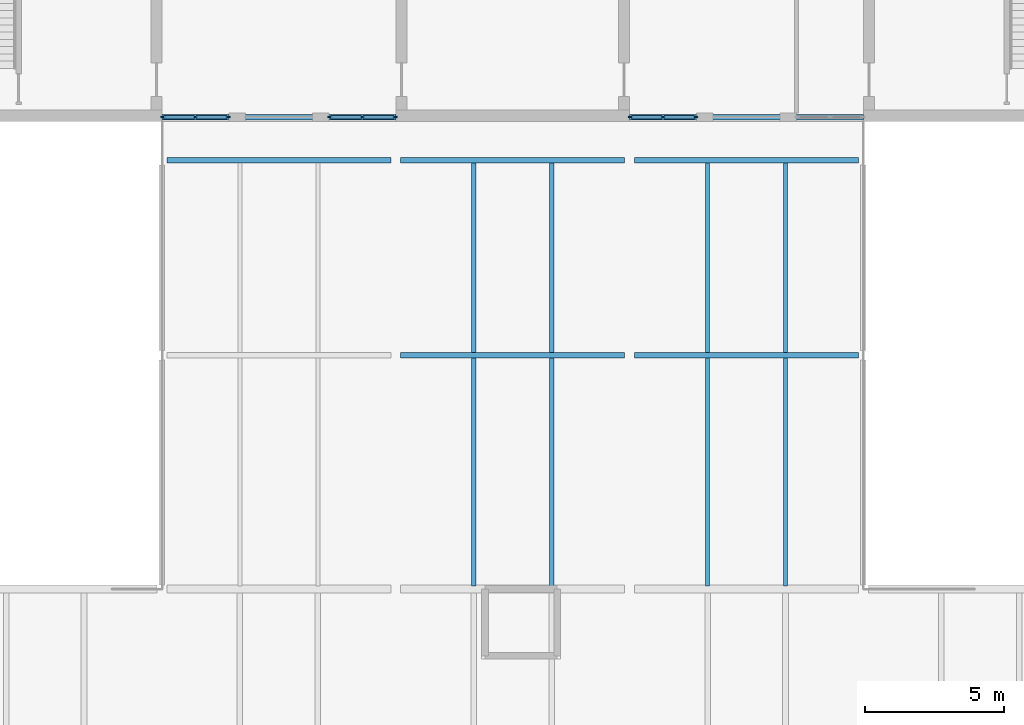
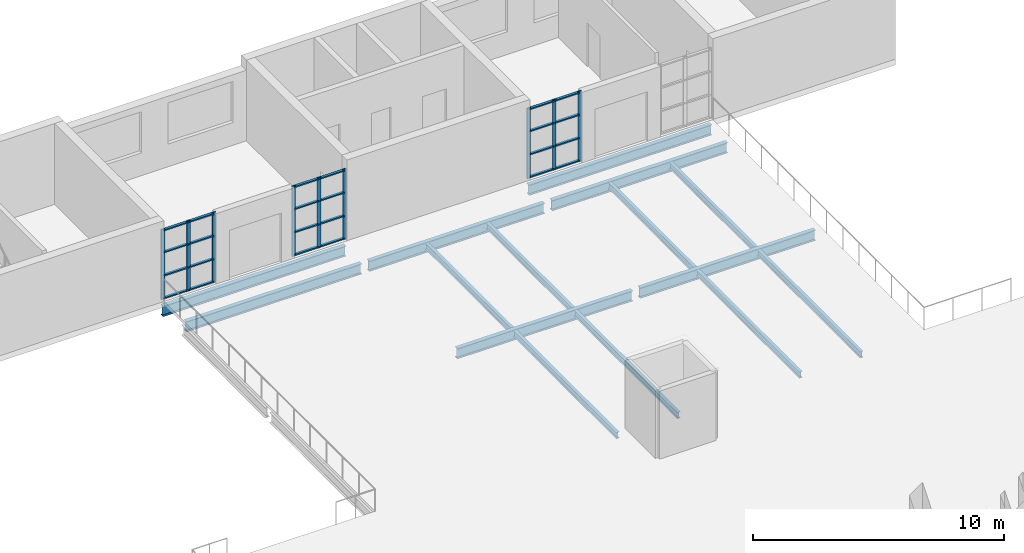
# One storey, part 20 of 96: 33 members, 15 beams, 3 elements without a shape of their own.
"""IFC4 building model written with IfcOpenShell, lengths in metres."""

from ifc_helpers import new_model, si_unit, direction, frame, origin, origin_2d, place, context, subcontext, project, spatial, rectangle, i_section, extrude, material, material_profile, profile_set, type_object, element, aggregate, save


model = new_model("IFC4")

# Units and contexts
model_context = context("Model", 3, precision=1e-05, world=origin(), true_north=direction((0.0, 1.0)))
body_context = subcontext(model_context, "Body", "Model", "MODEL_VIEW")
ifc_project = project(units=[si_unit("LENGTHUNIT", "METRE"), si_unit("AREAUNIT", "SQUARE_METRE"), si_unit("VOLUMEUNIT", "CUBIC_METRE"), si_unit("PLANEANGLEUNIT", "RADIAN"), si_unit("MASSUNIT", "GRAM", prefix="KILO")], contexts=[model_context])

# Site, building, storey
site_placement = place(None, origin())
site = spatial("IfcSite", under=ifc_project, at=site_placement, CompositionType="ELEMENT")
building_placement = place(site_placement, origin())
building = spatial("IfcBuilding", under=site, at=building_placement, Name="Cresset Court Congress Hotel", CompositionType="ELEMENT")
storey_placement = place(building_placement, frame((0.0, 0.0, 6.0)))
storey = spatial("IfcBuildingStorey", under=building, at=storey_placement, Name="L01", CompositionType="ELEMENT", Elevation=6.0)

# Curtain wall, members
ifc_material_1 = material(Name="Aluminium frame with insulated glass", Category="aluminium")
curtain_wall_type = type_object("IfcCurtainWallType", Name="Curtain wall module 1200", PredefinedType="NOTDEFINED", material=ifc_material_1)
curtain_wall_1_placement = place(storey_placement, origin())
curtain_wall_1 = element("IfcCurtainWall", 1, at=curtain_wall_1_placement, inside=storey, type_object=curtain_wall_type, Name="Curtain wall W1", PredefinedType="NOTDEFINED")
ifc_material_2 = material(Name="Aluminium", Category="aluminium")
ifc_material_profile_1 = material_profile(ifc_material_2, rectangle(XDim=0.1201171875, YDim=0.06005859375, at=origin_2d()), Name="AL 120x60")
ifc_profile_set_1 = profile_set([ifc_material_profile_1], Name="Aluminium")
member_type_1 = type_object("IfcMemberType", Name="CW transom RECT 120x60", PredefinedType="USERDEFINED", material=ifc_profile_set_1)
member_1_placement = place(storey_placement, frame((16.860107421875, 58.949951171875, 0.06005859375), z_axis=(1.0, 0.0, 0.0), x_axis=(0.0, 1.0, 0.0)))
member_1 = element("IfcMember", 2, at=member_1_placement, type_object=member_type_1, Name="D-X1 transom 1.1", ObjectType="TRANSOM", PredefinedType="USERDEFINED", context=body_context, shape_type="SweptSolid", body=[
    extrude(rectangle(XDim=0.1201171875, YDim=0.06005859375, at=origin_2d()), origin(), (0.0, 0.0, 1.0), 1.10986328125),
])
member_2_placement = place(storey_placement, frame((16.860107421875, 58.949951171875, 1.1630859375), z_axis=(1.0, 0.0, 0.0), x_axis=(0.0, 1.0, 0.0)))
member_2 = element("IfcMember", 3, at=member_2_placement, type_object=member_type_1, Name="D-X1 transom 1.2", ObjectType="TRANSOM", PredefinedType="USERDEFINED", context=body_context, shape_type="SweptSolid", body=[
    extrude(rectangle(XDim=0.1201171875, YDim=0.06005859375, at=origin_2d()), origin(), (0.0, 0.0, 1.0), 1.10986328125),
])
member_3_placement = place(storey_placement, frame((16.860107421875, 58.949951171875, 2.291015625), z_axis=(1.0, 0.0, 0.0), x_axis=(0.0, 1.0, 0.0)))
member_3 = element("IfcMember", 4, at=member_3_placement, type_object=member_type_1, Name="D-X1 transom 1.3", ObjectType="TRANSOM", PredefinedType="USERDEFINED", context=body_context, shape_type="SweptSolid", body=[
    extrude(rectangle(XDim=0.1201171875, YDim=0.06005859375, at=origin_2d()), origin(), (0.0, 0.0, 1.0), 1.10986328125),
])
member_4_placement = place(storey_placement, frame((16.860107421875, 58.949951171875, 3.360107421875), z_axis=(1.0, 0.0, 0.0), x_axis=(0.0, 1.0, 0.0)))
member_4 = element("IfcMember", 5, at=member_4_placement, type_object=member_type_1, Name="D-X1 transom 1.4", ObjectType="TRANSOM", PredefinedType="USERDEFINED", context=body_context, shape_type="SweptSolid", body=[
    extrude(rectangle(XDim=0.1201171875, YDim=0.06005859375, at=origin_2d()), origin(), (0.0, 0.0, 1.0), 1.10986328125),
])
member_5_placement = place(storey_placement, frame((18.030029296875, 58.949951171875, 0.06005859375), z_axis=(1.0, 0.0, 0.0), x_axis=(0.0, 1.0, 0.0)))
member_5 = element("IfcMember", 6, at=member_5_placement, type_object=member_type_1, Name="D-X1 transom 2.1", ObjectType="TRANSOM", PredefinedType="USERDEFINED", context=body_context, shape_type="SweptSolid", body=[
    extrude(rectangle(XDim=0.1201171875, YDim=0.06005859375, at=origin_2d()), origin(), (0.0, 0.0, 1.0), 1.10986328125),
])
member_6_placement = place(storey_placement, frame((18.030029296875, 58.949951171875, 1.1630859375), z_axis=(1.0, 0.0, 0.0), x_axis=(0.0, 1.0, 0.0)))
member_6 = element("IfcMember", 7, at=member_6_placement, type_object=member_type_1, Name="D-X1 transom 2.2", ObjectType="TRANSOM", PredefinedType="USERDEFINED", context=body_context, shape_type="SweptSolid", body=[
    extrude(rectangle(XDim=0.1201171875, YDim=0.06005859375, at=origin_2d()), origin(), (0.0, 0.0, 1.0), 1.10986328125),
])
member_7_placement = place(storey_placement, frame((18.030029296875, 58.949951171875, 2.291015625), z_axis=(1.0, 0.0, 0.0), x_axis=(0.0, 1.0, 0.0)))
member_7 = element("IfcMember", 8, at=member_7_placement, type_object=member_type_1, Name="D-X1 transom 2.3", ObjectType="TRANSOM", PredefinedType="USERDEFINED", context=body_context, shape_type="SweptSolid", body=[
    extrude(rectangle(XDim=0.1201171875, YDim=0.06005859375, at=origin_2d()), origin(), (0.0, 0.0, 1.0), 1.10986328125),
])
member_8_placement = place(storey_placement, frame((18.030029296875, 58.949951171875, 3.360107421875), z_axis=(1.0, 0.0, 0.0), x_axis=(0.0, 1.0, 0.0)))
member_8 = element("IfcMember", 9, at=member_8_placement, type_object=member_type_1, Name="D-X1 transom 2.4", ObjectType="TRANSOM", PredefinedType="USERDEFINED", context=body_context, shape_type="SweptSolid", body=[
    extrude(rectangle(XDim=0.1201171875, YDim=0.06005859375, at=origin_2d()), origin(), (0.0, 0.0, 1.0), 1.10986328125),
])

curtain_wall_2_placement = place(storey_placement, origin())
curtain_wall_2 = element("IfcCurtainWall", 10, at=curtain_wall_2_placement, inside=storey, type_object=curtain_wall_type, Name="Curtain wall W2", PredefinedType="NOTDEFINED")
member_9_placement = place(storey_placement, frame((22.860107421875, 58.949951171875, 0.06005859375), z_axis=(1.0, 0.0, 0.0), x_axis=(0.0, 1.0, 0.0)))
member_9 = element("IfcMember", 11, at=member_9_placement, type_object=member_type_1, Name="D-X1 transom 1.1", ObjectType="TRANSOM", PredefinedType="USERDEFINED", context=body_context, shape_type="SweptSolid", body=[
    extrude(rectangle(XDim=0.1201171875, YDim=0.06005859375, at=origin_2d()), origin(), (0.0, 0.0, 1.0), 1.10986328125),
])
member_10_placement = place(storey_placement, frame((22.860107421875, 58.949951171875, 1.1630859375), z_axis=(1.0, 0.0, 0.0), x_axis=(0.0, 1.0, 0.0)))
member_10 = element("IfcMember", 12, at=member_10_placement, type_object=member_type_1, Name="D-X1 transom 1.2", ObjectType="TRANSOM", PredefinedType="USERDEFINED", context=body_context, shape_type="SweptSolid", body=[
    extrude(rectangle(XDim=0.1201171875, YDim=0.06005859375, at=origin_2d()), origin(), (0.0, 0.0, 1.0), 1.10986328125),
])
member_11_placement = place(storey_placement, frame((22.860107421875, 58.949951171875, 2.291015625), z_axis=(1.0, 0.0, 0.0), x_axis=(0.0, 1.0, 0.0)))
member_11 = element("IfcMember", 13, at=member_11_placement, type_object=member_type_1, Name="D-X1 transom 1.3", ObjectType="TRANSOM", PredefinedType="USERDEFINED", context=body_context, shape_type="SweptSolid", body=[
    extrude(rectangle(XDim=0.1201171875, YDim=0.06005859375, at=origin_2d()), origin(), (0.0, 0.0, 1.0), 1.10986328125),
])
member_12_placement = place(storey_placement, frame((22.860107421875, 58.949951171875, 3.360107421875), z_axis=(1.0, 0.0, 0.0), x_axis=(0.0, 1.0, 0.0)))
member_12 = element("IfcMember", 14, at=member_12_placement, type_object=member_type_1, Name="D-X1 transom 1.4", ObjectType="TRANSOM", PredefinedType="USERDEFINED", context=body_context, shape_type="SweptSolid", body=[
    extrude(rectangle(XDim=0.1201171875, YDim=0.06005859375, at=origin_2d()), origin(), (0.0, 0.0, 1.0), 1.10986328125),
])
member_13_placement = place(storey_placement, frame((24.030029296875, 58.949951171875, 0.06005859375), z_axis=(1.0, 0.0, 0.0), x_axis=(0.0, 1.0, 0.0)))
member_13 = element("IfcMember", 15, at=member_13_placement, type_object=member_type_1, Name="D-X1 transom 2.1", ObjectType="TRANSOM", PredefinedType="USERDEFINED", context=body_context, shape_type="SweptSolid", body=[
    extrude(rectangle(XDim=0.1201171875, YDim=0.06005859375, at=origin_2d()), origin(), (0.0, 0.0, 1.0), 1.10986328125),
])
member_14_placement = place(storey_placement, frame((24.030029296875, 58.949951171875, 1.1630859375), z_axis=(1.0, 0.0, 0.0), x_axis=(0.0, 1.0, 0.0)))
member_14 = element("IfcMember", 16, at=member_14_placement, type_object=member_type_1, Name="D-X1 transom 2.2", ObjectType="TRANSOM", PredefinedType="USERDEFINED", context=body_context, shape_type="SweptSolid", body=[
    extrude(rectangle(XDim=0.1201171875, YDim=0.06005859375, at=origin_2d()), origin(), (0.0, 0.0, 1.0), 1.10986328125),
])
member_15_placement = place(storey_placement, frame((24.030029296875, 58.949951171875, 2.291015625), z_axis=(1.0, 0.0, 0.0), x_axis=(0.0, 1.0, 0.0)))
member_15 = element("IfcMember", 17, at=member_15_placement, type_object=member_type_1, Name="D-X1 transom 2.3", ObjectType="TRANSOM", PredefinedType="USERDEFINED", context=body_context, shape_type="SweptSolid", body=[
    extrude(rectangle(XDim=0.1201171875, YDim=0.06005859375, at=origin_2d()), origin(), (0.0, 0.0, 1.0), 1.10986328125),
])
member_16_placement = place(storey_placement, frame((24.030029296875, 58.949951171875, 3.360107421875), z_axis=(1.0, 0.0, 0.0), x_axis=(0.0, 1.0, 0.0)))
member_16 = element("IfcMember", 18, at=member_16_placement, type_object=member_type_1, Name="D-X1 transom 2.4", ObjectType="TRANSOM", PredefinedType="USERDEFINED", context=body_context, shape_type="SweptSolid", body=[
    extrude(rectangle(XDim=0.1201171875, YDim=0.06005859375, at=origin_2d()), origin(), (0.0, 0.0, 1.0), 1.10986328125),
])

curtain_wall_3_placement = place(storey_placement, origin())
curtain_wall_3 = element("IfcCurtainWall", 19, at=curtain_wall_3_placement, inside=storey, type_object=curtain_wall_type, Name="Curtain wall E1", PredefinedType="NOTDEFINED")
member_17_placement = place(storey_placement, frame((33.659912109375, 58.949951171875, 0.06005859375), z_axis=(1.0, 0.0, 0.0), x_axis=(0.0, 1.0, 0.0)))
member_17 = element("IfcMember", 20, at=member_17_placement, type_object=member_type_1, Name="D-X1 transom 1.1", ObjectType="TRANSOM", PredefinedType="USERDEFINED", context=body_context, shape_type="SweptSolid", body=[
    extrude(rectangle(XDim=0.1201171875, YDim=0.06005859375, at=origin_2d()), origin(), (0.0, 0.0, 1.0), 1.110107421875),
])
member_18_placement = place(storey_placement, frame((33.659912109375, 58.949951171875, 1.1630859375), z_axis=(1.0, 0.0, 0.0), x_axis=(0.0, 1.0, 0.0)))
member_18 = element("IfcMember", 21, at=member_18_placement, type_object=member_type_1, Name="D-X1 transom 1.2", ObjectType="TRANSOM", PredefinedType="USERDEFINED", context=body_context, shape_type="SweptSolid", body=[
    extrude(rectangle(XDim=0.1201171875, YDim=0.06005859375, at=origin_2d()), origin(), (0.0, 0.0, 1.0), 1.110107421875),
])
member_19_placement = place(storey_placement, frame((33.659912109375, 58.949951171875, 2.291015625), z_axis=(1.0, 0.0, 0.0), x_axis=(0.0, 1.0, 0.0)))
member_19 = element("IfcMember", 22, at=member_19_placement, type_object=member_type_1, Name="D-X1 transom 1.3", ObjectType="TRANSOM", PredefinedType="USERDEFINED", context=body_context, shape_type="SweptSolid", body=[
    extrude(rectangle(XDim=0.1201171875, YDim=0.06005859375, at=origin_2d()), origin(), (0.0, 0.0, 1.0), 1.110107421875),
])
member_20_placement = place(storey_placement, frame((33.659912109375, 58.949951171875, 3.360107421875), z_axis=(1.0, 0.0, 0.0), x_axis=(0.0, 1.0, 0.0)))
member_20 = element("IfcMember", 23, at=member_20_placement, type_object=member_type_1, Name="D-X1 transom 1.4", ObjectType="TRANSOM", PredefinedType="USERDEFINED", context=body_context, shape_type="SweptSolid", body=[
    extrude(rectangle(XDim=0.1201171875, YDim=0.06005859375, at=origin_2d()), origin(), (0.0, 0.0, 1.0), 1.110107421875),
])
member_21_placement = place(storey_placement, frame((34.830078125, 58.949951171875, 0.06005859375), z_axis=(1.0, 0.0, 0.0), x_axis=(0.0, 1.0, 0.0)))
member_21 = element("IfcMember", 24, at=member_21_placement, type_object=member_type_1, Name="D-X1 transom 2.1", ObjectType="TRANSOM", PredefinedType="USERDEFINED", context=body_context, shape_type="SweptSolid", body=[
    extrude(rectangle(XDim=0.1201171875, YDim=0.06005859375, at=origin_2d()), origin(), (0.0, 0.0, 1.0), 1.10986328125),
])
member_22_placement = place(storey_placement, frame((34.830078125, 58.949951171875, 1.1630859375), z_axis=(1.0, 0.0, 0.0), x_axis=(0.0, 1.0, 0.0)))
member_22 = element("IfcMember", 25, at=member_22_placement, type_object=member_type_1, Name="D-X1 transom 2.2", ObjectType="TRANSOM", PredefinedType="USERDEFINED", context=body_context, shape_type="SweptSolid", body=[
    extrude(rectangle(XDim=0.1201171875, YDim=0.06005859375, at=origin_2d()), origin(), (0.0, 0.0, 1.0), 1.10986328125),
])
member_23_placement = place(storey_placement, frame((34.830078125, 58.949951171875, 2.291015625), z_axis=(1.0, 0.0, 0.0), x_axis=(0.0, 1.0, 0.0)))
member_23 = element("IfcMember", 26, at=member_23_placement, type_object=member_type_1, Name="D-X1 transom 2.3", ObjectType="TRANSOM", PredefinedType="USERDEFINED", context=body_context, shape_type="SweptSolid", body=[
    extrude(rectangle(XDim=0.1201171875, YDim=0.06005859375, at=origin_2d()), origin(), (0.0, 0.0, 1.0), 1.10986328125),
])
member_24_placement = place(storey_placement, frame((34.830078125, 58.949951171875, 3.360107421875), z_axis=(1.0, 0.0, 0.0), x_axis=(0.0, 1.0, 0.0)))
member_24 = element("IfcMember", 27, at=member_24_placement, type_object=member_type_1, Name="D-X1 transom 2.4", ObjectType="TRANSOM", PredefinedType="USERDEFINED", context=body_context, shape_type="SweptSolid", body=[
    extrude(rectangle(XDim=0.1201171875, YDim=0.06005859375, at=origin_2d()), origin(), (0.0, 0.0, 1.0), 1.10986328125),
])

# Member
ifc_material_3 = material(Name="Anodised aluminium", Category="aluminium")
ifc_material_profile_2 = material_profile(ifc_material_3, rectangle(XDim=0.06005859375, YDim=0.159912109375, at=origin_2d()), Name="AL60x160")
ifc_profile_set_2 = profile_set([ifc_material_profile_2], Name="Anodised aluminium")
member_type_2 = type_object("IfcMemberType", Name="Curtain wall mullion 60x160", PredefinedType="MULLION", material=ifc_profile_set_2)
member_25_placement = place(storey_placement, frame((16.830078125, 58.949951171875, 0.0), z_axis=(0.0, 0.0, 1.0), x_axis=(0.0, 1.0, 0.0)))
member_25 = element("IfcMember", 28, at=member_25_placement, type_object=member_type_2, Name="D-X1 mullion 1", PredefinedType="MULLION", context=body_context, shape_type="SweptSolid", body=[
    extrude(rectangle(XDim=0.06005859375, YDim=0.159912109375, at=origin_2d()), origin(), (0.0, 0.0, 1.0), 3.419921875),
])

member_26_placement = place(storey_placement, frame((18.0, 58.949951171875, 0.0), z_axis=(0.0, 0.0, 1.0), x_axis=(0.0, 1.0, 0.0)))
member_26 = element("IfcMember", 29, at=member_26_placement, type_object=member_type_2, Name="D-X1 mullion 2", PredefinedType="MULLION", context=body_context, shape_type="SweptSolid", body=[
    extrude(rectangle(XDim=0.06005859375, YDim=0.159912109375, at=origin_2d()), origin(), (0.0, 0.0, 1.0), 3.419921875),
])

member_27_placement = place(storey_placement, frame((19.169921875, 58.949951171875, 0.0), z_axis=(0.0, 0.0, 1.0), x_axis=(0.0, 1.0, 0.0)))
member_27 = element("IfcMember", 30, at=member_27_placement, type_object=member_type_2, Name="D-X1 mullion 3", PredefinedType="MULLION", context=body_context, shape_type="SweptSolid", body=[
    extrude(rectangle(XDim=0.06005859375, YDim=0.159912109375, at=origin_2d()), origin(), (0.0, 0.0, 1.0), 3.419921875),
])

aggregate(curtain_wall_1, [member_25, member_26, member_27, member_1, member_2, member_3, member_4, member_5, member_6, member_7, member_8])

member_28_placement = place(storey_placement, frame((22.830078125, 58.949951171875, 0.0), z_axis=(0.0, 0.0, 1.0), x_axis=(0.0, 1.0, 0.0)))
member_28 = element("IfcMember", 31, at=member_28_placement, type_object=member_type_2, Name="D-X1 mullion 1", PredefinedType="MULLION", context=body_context, shape_type="SweptSolid", body=[
    extrude(rectangle(XDim=0.06005859375, YDim=0.159912109375, at=origin_2d()), origin(), (0.0, 0.0, 1.0), 3.419921875),
])

member_29_placement = place(storey_placement, frame((24.0, 58.949951171875, 0.0), z_axis=(0.0, 0.0, 1.0), x_axis=(0.0, 1.0, 0.0)))
member_29 = element("IfcMember", 32, at=member_29_placement, type_object=member_type_2, Name="D-X1 mullion 2", PredefinedType="MULLION", context=body_context, shape_type="SweptSolid", body=[
    extrude(rectangle(XDim=0.06005859375, YDim=0.159912109375, at=origin_2d()), origin(), (0.0, 0.0, 1.0), 3.419921875),
])

member_30_placement = place(storey_placement, frame((25.169921875, 58.949951171875, 0.0), z_axis=(0.0, 0.0, 1.0), x_axis=(0.0, 1.0, 0.0)))
member_30 = element("IfcMember", 33, at=member_30_placement, type_object=member_type_2, Name="D-X1 mullion 3", PredefinedType="MULLION", context=body_context, shape_type="SweptSolid", body=[
    extrude(rectangle(XDim=0.06005859375, YDim=0.159912109375, at=origin_2d()), origin(), (0.0, 0.0, 1.0), 3.419921875),
])

aggregate(curtain_wall_2, [member_28, member_29, member_30, member_9, member_10, member_11, member_12, member_13, member_14, member_15, member_16])

member_31_placement = place(storey_placement, frame((33.6298828125, 58.949951171875, 0.0), z_axis=(0.0, 0.0, 1.0), x_axis=(0.0, 1.0, 0.0)))
member_31 = element("IfcMember", 34, at=member_31_placement, type_object=member_type_2, Name="D-X1 mullion 1", PredefinedType="MULLION", context=body_context, shape_type="SweptSolid", body=[
    extrude(rectangle(XDim=0.06005859375, YDim=0.159912109375, at=origin_2d()), origin(), (0.0, 0.0, 1.0), 3.419921875),
])

member_32_placement = place(storey_placement, frame((34.800048828125, 58.949951171875, 0.0), z_axis=(0.0, 0.0, 1.0), x_axis=(0.0, 1.0, 0.0)))
member_32 = element("IfcMember", 35, at=member_32_placement, type_object=member_type_2, Name="D-X1 mullion 2", PredefinedType="MULLION", context=body_context, shape_type="SweptSolid", body=[
    extrude(rectangle(XDim=0.06005859375, YDim=0.159912109375, at=origin_2d()), origin(), (0.0, 0.0, 1.0), 3.419921875),
])

member_33_placement = place(storey_placement, frame((35.969970703125, 58.949951171875, 0.0), z_axis=(0.0, 0.0, 1.0), x_axis=(0.0, 1.0, 0.0)))
member_33 = element("IfcMember", 36, at=member_33_placement, type_object=member_type_2, Name="D-X1 mullion 3", PredefinedType="MULLION", context=body_context, shape_type="SweptSolid", body=[
    extrude(rectangle(XDim=0.06005859375, YDim=0.159912109375, at=origin_2d()), origin(), (0.0, 0.0, 1.0), 3.419921875),
])

aggregate(curtain_wall_3, [member_31, member_32, member_33, member_17, member_18, member_19, member_20, member_21, member_22, member_23, member_24])

# Beams
ifc_material_4 = material(Name="Structural steel Q355B", Category="steel")
ifc_material_profile_3 = material_profile(ifc_material_4, i_section(OverallWidth=0.14990234375, OverallDepth=0.300048828125, WebThickness=0.006591796875, FlangeThickness=0.009033203125, FilletRadius=0.012939453125, at=origin_2d()), Name="HN300x150x6.5x9")
ifc_profile_set_3 = profile_set([ifc_material_profile_3], Name="Structural steel Q355B")
beam_type_1 = type_object("IfcBeamType", Name="Steel beam HN300x150x6.5x9", PredefinedType="BEAM", material=ifc_profile_set_3)
for number, where, z_axis, x_axis, name in (
    (37, (28.0, 42.10009765625, -0.300048828125), (0.0, 1.0, 0.0), (-1.0, 0.0, 0.0), "S.dbm.L01.S085"),
    (38, (30.800048828125, 42.10009765625, -0.300048828125), (0.0, 1.0, 0.0), (-1.0, 0.0, 0.0), "S.dbm.L01.S086"),
    (39, (36.39990234375, 42.10009765625, -0.300048828125), (0.0, 1.0, 0.0), (-1.0, 0.0, 0.0), "S.dbm.L01.S087"),
    (40, (39.199951171875, 42.10009765625, -0.300048828125), (0.0, 1.0, 0.0), (-1.0, 0.0, 0.0), "S.dbm.L01.S088"),
):
    element("IfcBeam", number, at=place(storey_placement, frame(where, z_axis=z_axis, x_axis=x_axis)), inside=storey, type_object=beam_type_1, Name=name, PredefinedType="BEAM", context=body_context, shape_type="SweptSolid", body=[
        extrude(i_section(OverallWidth=0.14990234375, OverallDepth=0.300048828125, WebThickness=0.006591796875, FlangeThickness=0.009033203125, FilletRadius=0.012939453125, at=origin_2d()), origin(), (0.0, 0.0, 1.0), 8.199951171875),
    ])
for number, where, z_axis, x_axis, name in (
    (41, (28.0, 50.5, -0.300048828125), (0.0, 1.0, 0.0), (-1.0, 0.0, 0.0), "S.dbm.L01.S091"),
    (42, (30.800048828125, 50.5, -0.300048828125), (0.0, 1.0, 0.0), (-1.0, 0.0, 0.0), "S.dbm.L01.S092"),
    (43, (36.39990234375, 50.5, -0.300048828125), (0.0, 1.0, 0.0), (-1.0, 0.0, 0.0), "S.dbm.L01.S093"),
    (44, (39.199951171875, 50.5, -0.300048828125), (0.0, 1.0, 0.0), (-1.0, 0.0, 0.0), "S.dbm.L01.S094"),
):
    element("IfcBeam", number, at=place(storey_placement, frame(where, z_axis=z_axis, x_axis=x_axis)), inside=storey, type_object=beam_type_1, Name=name, PredefinedType="BEAM", context=body_context, shape_type="SweptSolid", body=[
        extrude(i_section(OverallWidth=0.14990234375, OverallDepth=0.300048828125, WebThickness=0.006591796875, FlangeThickness=0.009033203125, FilletRadius=0.012939453125, at=origin_2d()), origin(), (0.0, 0.0, 1.0), 6.800048828125),
    ])
ifc_material_5 = material(Name="Structural steel Q355B", Category="steel")
ifc_material_profile_4 = material_profile(ifc_material_5, i_section(OverallWidth=0.199951171875, OverallDepth=0.5, WebThickness=0.010009765625, FlangeThickness=0.01611328125, FilletRadius=0.012939453125, at=origin_2d()), Name="HN500x200x10x16")
ifc_profile_set_4 = profile_set([ifc_material_profile_4], Name="Structural steel Q355B")
beam_type_2 = type_object("IfcBeamType", Name="Steel beam HN500x200x10x16", PredefinedType="BEAM", material=ifc_profile_set_4)
for number, where, z_axis, x_axis, name in (
    (45, (25.375, 50.39990234375, -0.39990234375), (1.0, 0.0, 0.0), (0.0, 1.0, 0.0), "S.dbm.L01.P071"),
    (46, (33.77490234375, 50.39990234375, -0.39990234375), (1.0, 0.0, 0.0), (0.0, 1.0, 0.0), "S.dbm.L01.P072"),
):
    element("IfcBeam", number, at=place(storey_placement, frame(where, z_axis=z_axis, x_axis=x_axis)), inside=storey, type_object=beam_type_2, Name=name, PredefinedType="BEAM", context=body_context, shape_type="SweptSolid", body=[
        extrude(i_section(OverallWidth=0.199951171875, OverallDepth=0.5, WebThickness=0.010009765625, FlangeThickness=0.01611328125, FilletRadius=0.012939453125, at=origin_2d()), origin(), (0.0, 0.0, 1.0), 8.050048828125),
    ])
beam_placement = place(storey_placement, frame((16.97509765625, 57.39990234375, -0.39990234375), z_axis=(1.0, 0.0, 0.0), x_axis=(0.0, 1.0, 0.0)))
element("IfcBeam", 47, at=beam_placement, inside=storey, type_object=beam_type_2, Name="S.dbm.L01.P073", PredefinedType="BEAM", context=body_context, shape_type="SweptSolid", body=[
    extrude(i_section(OverallWidth=0.199951171875, OverallDepth=0.5, WebThickness=0.010009765625, FlangeThickness=0.01611328125, FilletRadius=0.012939453125, at=origin_2d()), origin(), (0.0, 0.0, 1.0), 8.0498046875),
])
for number, where, z_axis, x_axis, name in (
    (48, (25.375, 57.39990234375, -0.39990234375), (1.0, 0.0, 0.0), (0.0, 1.0, 0.0), "S.dbm.L01.P074"),
    (49, (33.77490234375, 57.39990234375, -0.39990234375), (1.0, 0.0, 0.0), (0.0, 1.0, 0.0), "S.dbm.L01.P075"),
):
    element("IfcBeam", number, at=place(storey_placement, frame(where, z_axis=z_axis, x_axis=x_axis)), inside=storey, type_object=beam_type_2, Name=name, PredefinedType="BEAM", context=body_context, shape_type="SweptSolid", body=[
        extrude(i_section(OverallWidth=0.199951171875, OverallDepth=0.5, WebThickness=0.010009765625, FlangeThickness=0.01611328125, FilletRadius=0.012939453125, at=origin_2d()), origin(), (0.0, 0.0, 1.0), 8.050048828125),
    ])
ifc_material_6 = material(Name="Structural steel Q355B", Category="steel")
ifc_material_profile_5 = material_profile(ifc_material_6, i_section(OverallWidth=0.199951171875, OverallDepth=0.5, WebThickness=0.010009765625, FlangeThickness=0.01611328125, FilletRadius=0.012939453125, at=origin_2d()), Name="HN500x200x10x16")
ifc_profile_set_5 = profile_set([ifc_material_profile_5], Name="Structural steel Q355B")
beam_type_3 = type_object("IfcBeamType", Name="Steel edge beam HN500x200x10x16", PredefinedType="BEAM", material=ifc_profile_set_5)
for number, where, z_axis, x_axis, name in (
    (50, (16.800048828125, 58.949951171875, -0.530029296875), (1.0, 0.0, 0.0), (0.0, 1.0, 0.0), "Foyer edge beam WS"),
    (51, (33.60009765625, 58.949951171875, -0.530029296875), (1.0, 0.0, 0.0), (0.0, 1.0, 0.0), "Foyer edge beam ES"),
):
    element("IfcBeam", number, at=place(storey_placement, frame(where, z_axis=z_axis, x_axis=x_axis)), inside=storey, type_object=beam_type_3, Name=name, PredefinedType="BEAM", context=body_context, shape_type="SweptSolid", body=[
        extrude(i_section(OverallWidth=0.199951171875, OverallDepth=0.5, WebThickness=0.010009765625, FlangeThickness=0.01611328125, FilletRadius=0.012939453125, at=origin_2d()), origin(), (0.0, 0.0, 1.0), 8.39990234375),
    ])

save(model, "model.ifc")
